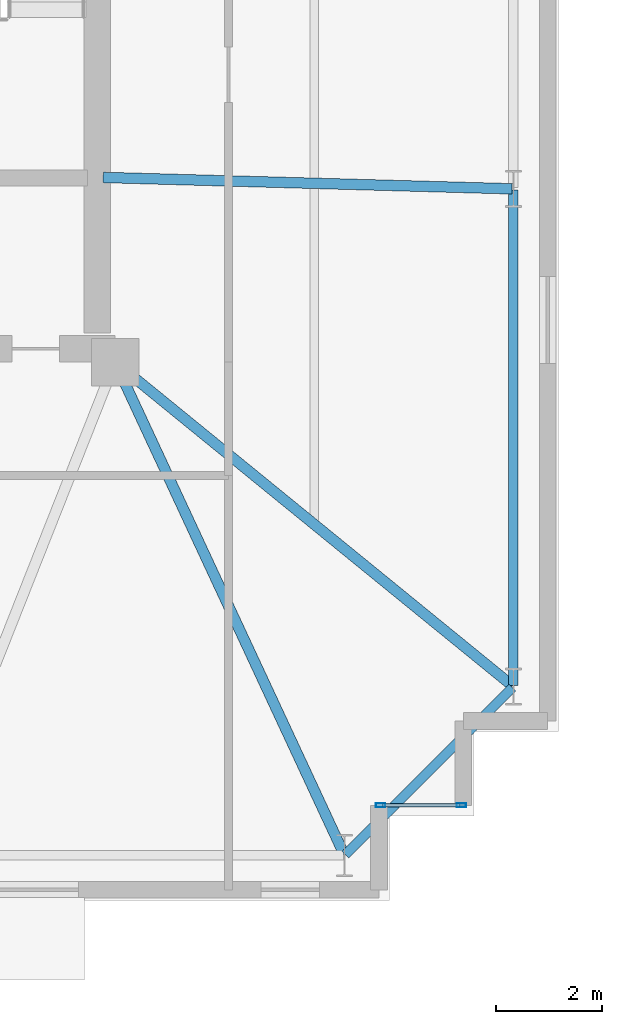
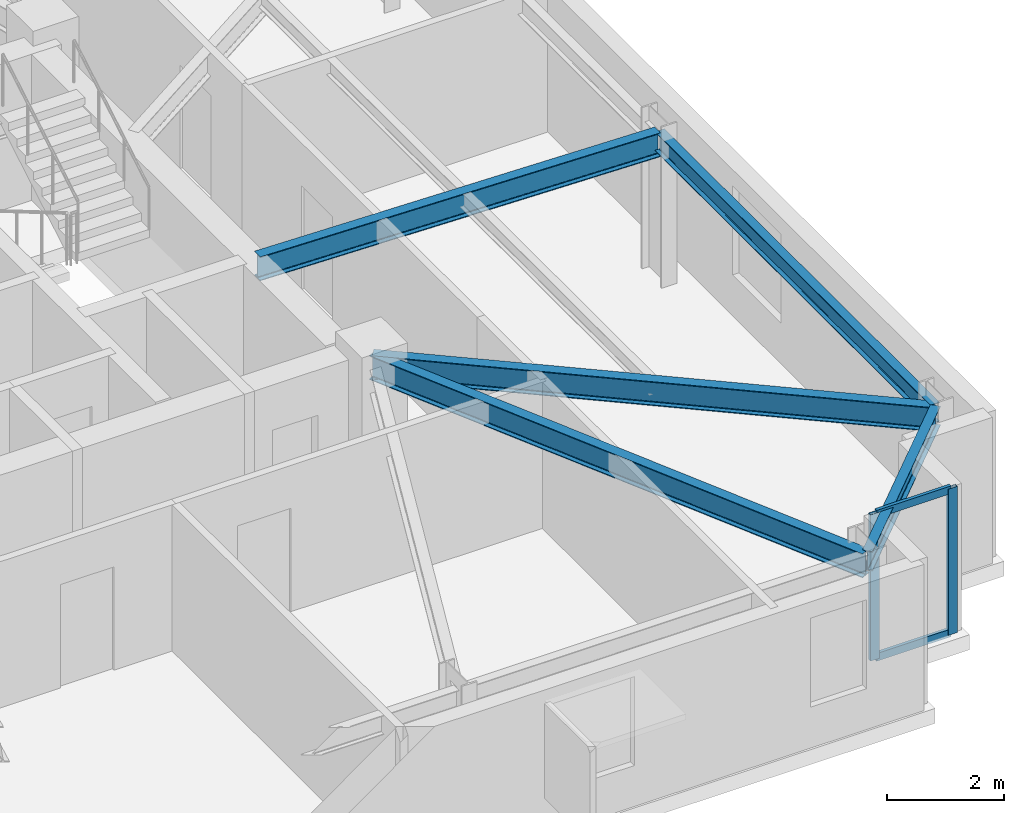
# One storey, part 5 of 17: 5 beams, 4 members, 1 element without a shape of its own.
"""IFC4 building model written with IfcOpenShell, lengths in metres."""

from ifc_helpers import new_model, si_unit, direction, frame, origin, origin_2d, place, context, subcontext, project, spatial, hollow_rectangle, i_section, extrude, material, layer, layer_set, material_profile, profile_set, type_object, element, aggregate, save


model = new_model("IFC4")

# Units and contexts
model_context = context("Model", 3, precision=1e-05, world=origin(), true_north=direction((0.0, 1.0)))
body_context = subcontext(model_context, "Body", "Model", "MODEL_VIEW")
ifc_project = project(units=[si_unit("LENGTHUNIT", "METRE"), si_unit("AREAUNIT", "SQUARE_METRE"), si_unit("VOLUMEUNIT", "CUBIC_METRE"), si_unit("PLANEANGLEUNIT", "RADIAN"), si_unit("MASSUNIT", "GRAM", prefix="KILO")], contexts=[model_context])

# Site, building, storey
site_placement = place(None, origin())
site = spatial("IfcSite", under=ifc_project, at=site_placement, CompositionType="ELEMENT")
building_placement = place(site_placement, origin())
building = spatial("IfcBuilding", under=site, at=building_placement, Name="Qobustan Lattice House", CompositionType="ELEMENT")
storey_placement = place(building_placement, frame((0.0, 0.0, 164.5)))
storey = spatial("IfcBuildingStorey", under=building, at=storey_placement, Name="L46", CompositionType="ELEMENT", Elevation=164.5)

# Beams
ifc_material_1 = material(Name="Steel S355", Category="steel")
ifc_material_profile_1 = material_profile(ifc_material_1, i_section(OverallWidth=0.199951171875, OverallDepth=0.5, WebThickness=0.01025390625, FlangeThickness=0.01611328125, FilletRadius=0.02099609375, at=origin_2d()), Name="IPE500")
ifc_profile_set_1 = profile_set([ifc_material_profile_1], Name="Steel S355")
beam_type_1 = type_object("IfcBeamType", Name="BM-FLG-IPE500", PredefinedType="USERDEFINED", material=ifc_profile_set_1)
beam_1_placement = place(storey_placement, frame((23.139404296875, -14.92724609375, 2.7900390625), z_axis=(-0.421827633168, 0.906676043521, 0.0), x_axis=(-0.906676043521, -0.421827633168, 0.0)))
element("IfcBeam", 1, at=beam_1_placement, inside=storey, type_object=beam_type_1, Name="L46 primary floor girder RAD-S7E", ObjectType="GIRDER", PredefinedType="USERDEFINED", context=body_context, shape_type="SweptSolid", body=[
    extrude(i_section(OverallWidth=0.199951171875, OverallDepth=0.5, WebThickness=0.01025390625, FlangeThickness=0.01611328125, FilletRadius=0.02099609375, at=origin_2d()), origin(), (0.0, 0.0, 1.0), 10.26220703125),
])
beam_2_placement = place(storey_placement, frame((26.324951171875, -2.31591796875, 2.7900390625), z_axis=(-0.999614226396, 0.027774059592, 0.0), x_axis=(-0.027774059592, -0.999614226396, 0.0)))
element("IfcBeam", 2, at=beam_2_placement, inside=storey, type_object=beam_type_1, Name="L46 primary floor girder RAD-E2", ObjectType="GIRDER", PredefinedType="USERDEFINED", context=body_context, shape_type="SweptSolid", body=[
    extrude(i_section(OverallWidth=0.199951171875, OverallDepth=0.5, WebThickness=0.01025390625, FlangeThickness=0.01611328125, FilletRadius=0.02099609375, at=origin_2d()), origin(), (0.0, 0.0, 1.0), 7.7529296875),
])
beam_3_placement = place(storey_placement, frame((26.33056640625, -11.734130859375, 2.7900390625), z_axis=(-0.775328675038, 0.631557951152, 0.0), x_axis=(-0.631557951152, -0.775328675038, 0.0)))
element("IfcBeam", 3, at=beam_3_placement, inside=storey, type_object=beam_type_1, Name="L46 primary floor girder RAD-E1", ObjectType="GIRDER", PredefinedType="USERDEFINED", context=body_context, shape_type="SweptSolid", body=[
    extrude(i_section(OverallWidth=0.199951171875, OverallDepth=0.5, WebThickness=0.01025390625, FlangeThickness=0.01611328125, FilletRadius=0.02099609375, at=origin_2d()), origin(), (0.0, 0.0, 1.0), 9.687744140625),
])
ifc_material_2 = material(Name="Steel S355", Category="steel")
ifc_material_profile_2 = material_profile(ifc_material_2, i_section(OverallWidth=0.179931640625, OverallDepth=0.39990234375, WebThickness=0.008544921875, FlangeThickness=0.013427734375, FilletRadius=0.02099609375, at=origin_2d()), Name="IPE400")
ifc_profile_set_2 = profile_set([ifc_material_profile_2], Name="Steel S355")
beam_type_2 = type_object("IfcBeamType", Name="BM-SPD-IPE400", PredefinedType="SPANDREL", material=ifc_profile_set_2)
beam_4_placement = place(storey_placement, frame((23.167724609375, -14.932373046875, 2.840087890625), z_axis=(0.707079505568, 0.707134055753, 0.0), x_axis=(-0.707134055753, 0.707079505568, 0.0)))
element("IfcBeam", 4, at=beam_4_placement, inside=storey, type_object=beam_type_2, Name="L46 perimeter spandrel S7-E1", PredefinedType="SPANDREL", context=body_context, shape_type="SweptSolid", body=[
    extrude(i_section(OverallWidth=0.179931640625, OverallDepth=0.39990234375, WebThickness=0.008544921875, FlangeThickness=0.013427734375, FilletRadius=0.02099609375, at=origin_2d()), origin(), (0.0, 0.0, 1.0), 4.4755859375),
])
beam_5_placement = place(storey_placement, frame((26.35009765625, -11.72509765625, 2.840087890625), z_axis=(0.0, 1.0, 0.0), x_axis=(-1.0, 0.0, 0.0)))
element("IfcBeam", 5, at=beam_5_placement, inside=storey, type_object=beam_type_2, Name="L46 perimeter spandrel E1-E2", PredefinedType="SPANDREL", context=body_context, shape_type="SweptSolid", body=[
    extrude(i_section(OverallWidth=0.179931640625, OverallDepth=0.39990234375, WebThickness=0.008544921875, FlangeThickness=0.013427734375, FilletRadius=0.02099609375, at=origin_2d()), origin(), (0.0, 0.0, 1.0), 9.38330078125),
])

# Curtain wall, members
ifc_material_3 = material(Name="Anodised aluminium and low-E glazing", Category="aluminium")
ifc_layer = layer(ifc_material_3, 0.219970703125)
ifc_layer_set = layer_set([ifc_layer], Name="Anodised aluminium and low-E glazing")
curtain_wall_type = type_object("IfcCurtainWallType", Name="CW-FAC-02", PredefinedType="USERDEFINED", material=ifc_layer_set)
curtain_wall_placement = place(storey_placement, origin())
curtain_wall = element("IfcCurtainWall", 6, at=curtain_wall_placement, inside=storey, type_object=curtain_wall_type, Name="L46 serrated corner faceted glazing 18", ObjectType="CURTAIN WALL", PredefinedType="USERDEFINED")
ifc_material_4 = material(Name="Anodised aluminium EN AW-6063 T6", Category="aluminium")
ifc_material_profile_3 = material_profile(ifc_material_4, hollow_rectangle(XDim=0.070068359375, YDim=0.179931640625, WallThickness=0.00439453125, at=origin_2d()), Name="CWM-180x70")
ifc_profile_set_3 = profile_set([ifc_material_profile_3], Name="Anodised aluminium EN AW-6063 T6")
member_type_1 = type_object("IfcMemberType", Name="CWM-STD-180", PredefinedType="MULLION", material=ifc_profile_set_3)
member_1_placement = place(storey_placement, frame((25.364990234375, -14.0, 0.0), z_axis=(0.0, 0.0, 1.0), x_axis=(0.0, -1.0, 0.0)))
member_1 = element("IfcMember", 7, at=member_1_placement, type_object=member_type_1, Name="CW-F2 mullion 1", PredefinedType="MULLION", context=body_context, shape_type="SweptSolid", body=[
    extrude(hollow_rectangle(XDim=0.070068359375, YDim=0.179931640625, WallThickness=0.00439453125, at=origin_2d()), origin(), (0.0, 0.0, 1.0), 3.0400390625),
])
member_2_placement = place(storey_placement, frame((23.8349609375, -14.0, 0.0), z_axis=(0.0, 0.0, 1.0), x_axis=(0.0, -1.0, 0.0)))
member_2 = element("IfcMember", 8, at=member_2_placement, type_object=member_type_1, Name="CW-F2 mullion 2", PredefinedType="MULLION", context=body_context, shape_type="SweptSolid", body=[
    extrude(hollow_rectangle(XDim=0.070068359375, YDim=0.179931640625, WallThickness=0.00439453125, at=origin_2d()), origin(), (0.0, 0.0, 1.0), 3.0400390625),
])
ifc_material_5 = material(Name="Anodised aluminium EN AW-6063 T6", Category="aluminium")
ifc_material_profile_4 = material_profile(ifc_material_5, hollow_rectangle(XDim=0.06494140625, YDim=0.159912109375, WallThickness=0.00390625, at=origin_2d()), Name="CWT-160x65")
ifc_profile_set_4 = profile_set([ifc_material_profile_4], Name="Anodised aluminium EN AW-6063 T6")
member_type_2 = type_object("IfcMemberType", Name="CWT-HOR-160", PredefinedType="USERDEFINED", material=ifc_profile_set_4)
member_3_placement = place(storey_placement, frame((25.330078125, -14.0, 0.032470703125), z_axis=(-1.0, 0.0, 0.0), x_axis=(0.0, -1.0, 0.0)))
member_3 = element("IfcMember", 9, at=member_3_placement, type_object=member_type_2, Name="CW-F2 transom 1.1", ObjectType="TRANSOM", PredefinedType="USERDEFINED", context=body_context, shape_type="SweptSolid", body=[
    extrude(hollow_rectangle(XDim=0.06494140625, YDim=0.159912109375, WallThickness=0.00390625, at=origin_2d()), origin(), (0.0, 0.0, 1.0), 1.4599609375),
])
member_4_placement = place(storey_placement, frame((25.330078125, -14.0, 3.007568359375), z_axis=(-1.0, 0.0, 0.0), x_axis=(0.0, -1.0, 0.0)))
member_4 = element("IfcMember", 10, at=member_4_placement, type_object=member_type_2, Name="CW-F2 transom 1.2", ObjectType="TRANSOM", PredefinedType="USERDEFINED", context=body_context, shape_type="SweptSolid", body=[
    extrude(hollow_rectangle(XDim=0.06494140625, YDim=0.159912109375, WallThickness=0.00390625, at=origin_2d()), origin(), (0.0, 0.0, 1.0), 1.4599609375),
])
aggregate(curtain_wall, [member_1, member_2, member_3, member_4])

save(model, "model.ifc")
